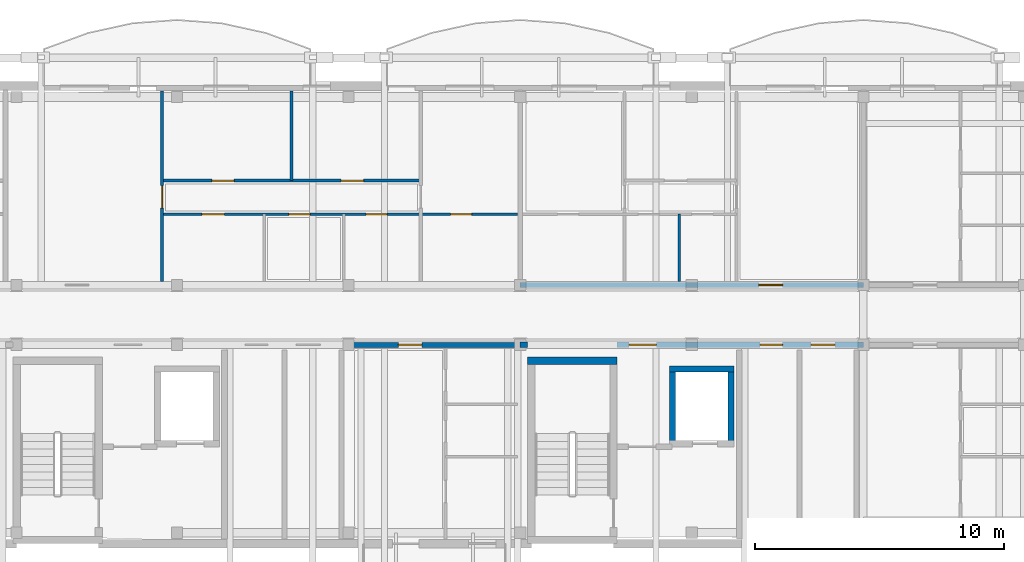
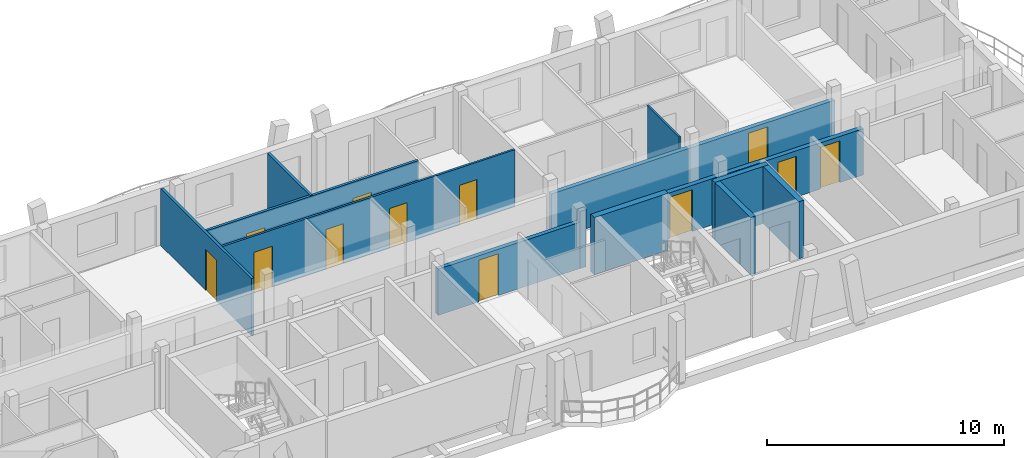
# One storey, part 35 of 52: 13 walls, 12 doors, 12 openings.
"""IFC4 building model written with IfcOpenShell, lengths in metres."""

from ifc_helpers import new_model, si_unit, direction, frame, frame_2d, origin, origin_with_axes, place, context, subcontext, project, spatial, rectangle, extrude, material, layer, layer_set, type_object, element, fill, save


model = new_model("IFC4")

# Units and contexts
model_context = context("Model", 3, precision=1e-05, world=origin(), true_north=direction((0.0, 1.0)))
body_context = subcontext(model_context, "Body", "Model", "MODEL_VIEW")
ifc_project = project(units=[si_unit("LENGTHUNIT", "METRE"), si_unit("AREAUNIT", "SQUARE_METRE"), si_unit("VOLUMEUNIT", "CUBIC_METRE"), si_unit("PLANEANGLEUNIT", "RADIAN"), si_unit("MASSUNIT", "GRAM", prefix="KILO")], contexts=[model_context])

# Site, building, storey
site_placement = place(None, origin())
site = spatial("IfcSite", under=ifc_project, at=site_placement, CompositionType="ELEMENT")
building_placement = place(site_placement, origin())
building = spatial("IfcBuilding", under=site, at=building_placement, Name="Zavelmont Quarter", CompositionType="ELEMENT")
storey_placement = place(building_placement, frame((0.0, 0.0, 14.39990234375)))
storey = spatial("IfcBuildingStorey", under=building, at=storey_placement, Name="L04", CompositionType="ELEMENT", Elevation=14.39990234375)

# Wall, opening, door
ifc_material_1 = material(Name="Calcium-silicate blockwork and acoustic plaster", Category="masonry")
ifc_layer_1 = layer(ifc_material_1, 0.199951171875)
ifc_layer_set_1 = layer_set([ifc_layer_1], Name="Calcium-silicate blockwork and acoustic plaster")
wall_type_1 = type_object("IfcWallType", Name="IW01", PredefinedType="PARTITIONING", material=ifc_layer_set_1)
wall_1_placement = place(storey_placement, frame((147.300048828125, 108.0, 0.0), z_axis=(0.0, 0.0, 1.0), x_axis=(1.0, 0.0, 0.0)))
wall_1 = element("IfcWall", 1, at=wall_1_placement, inside=storey, type_object=wall_type_1, Name="L04 Corridor compartment wall IW01", PredefinedType="PARTITIONING", context=body_context, shape_type="SweptSolid", body=[
    extrude(rectangle(XDim=13.800048828125, YDim=0.199951171875, at=frame_2d((6.89990234375, 0.0))), origin(), (0.0, 0.0, 1.0), 2.380126953125),
])
opening_1_placement = place(wall_1_placement, frame((9.60009765625, 0.0, 0.0)))
opening_1 = element("IfcOpeningElement", 2, at=opening_1_placement, cuts=wall_1, Name="Opening DR02", PredefinedType="OPENING", context=body_context, shape_type="SweptSolid", body=[
    extrude(rectangle(XDim=0.949951171875, YDim=2.14990234375, at=frame_2d((0.47509765625, 1.074951171875))), frame((0.0, 0.11181640625, 0.0), z_axis=(0.0, -1.0, 0.0), x_axis=(1.0, 0.0, 0.0)), (0.0, 0.0, 1.0), 0.223876953125),
])
ifc_material_2 = material(Name="Solid-core oak fire leaf in steel frame", Category="steel")
door_type_1 = type_object("IfcDoorType", Name="DR02", OperationType="NOTDEFINED", PredefinedType="DOOR", material=ifc_material_2)
door_1_placement = place(opening_1_placement, origin_with_axes())
door_1 = element("IfcDoor", 3, at=door_1_placement, inside=storey, type_object=door_type_1, Name="L04 door DR02", OperationType="SINGLE_SWING_LEFT", OverallHeight=2.14990234375, OverallWidth=0.949951171875, PredefinedType="DOOR", context=body_context, shape_type="SweptSolid", body=[
    extrude(rectangle(XDim=0.949951171875, YDim=2.14990234375, at=frame_2d((0.47509765625, 1.074951171875))), frame((0.0, 0.02490234375, 0.0), z_axis=(0.0, -1.0, 0.0), x_axis=(1.0, 0.0, 0.0)), (0.0, 0.0, 1.0), 0.050048828125),
])
fill(opening_1, door_1)

wall_2_placement = place(storey_placement, frame((140.39990234375, 105.60009765625, 0.0), z_axis=(0.0, 0.0, 1.0), x_axis=(1.0, 0.0, 0.0)))
wall_2 = element("IfcWall", 4, at=wall_2_placement, inside=storey, type_object=wall_type_1, Name="L04 Corridor compartment wall IW01", PredefinedType="PARTITIONING", context=body_context, shape_type="SweptSolid", body=[
    extrude(rectangle(XDim=6.900146484375, YDim=0.199951171875, at=frame_2d((3.4501953125, 0.0))), origin(), (0.0, 0.0, 1.0), 2.380126953125),
])
opening_2_placement = place(wall_2_placement, frame((2.0, 0.0, 0.0)))
opening_2 = element("IfcOpeningElement", 5, at=opening_2_placement, cuts=wall_2, Name="Opening DR02", PredefinedType="OPENING", context=body_context, shape_type="SweptSolid", body=[
    extrude(rectangle(XDim=0.949951171875, YDim=2.14990234375, at=frame_2d((0.47509765625, 1.074951171875))), frame((0.0, 0.11181640625, 0.0), z_axis=(0.0, -1.0, 0.0), x_axis=(1.0, 0.0, 0.0)), (0.0, 0.0, 1.0), 0.223876953125),
])
door_2_placement = place(opening_2_placement, frame((0.949951171875, 0.0, 0.0), z_axis=(0.0, 0.0, 1.0), x_axis=(-1.0, 0.0, 0.0)))
door_2 = element("IfcDoor", 6, at=door_2_placement, inside=storey, type_object=door_type_1, Name="L04 door DR02", OperationType="SINGLE_SWING_LEFT", OverallHeight=2.14990234375, OverallWidth=0.949951171875, PredefinedType="DOOR", context=body_context, shape_type="SweptSolid", body=[
    extrude(rectangle(XDim=0.949951171875, YDim=2.14990234375, at=frame_2d((0.47509765625, 1.074951171875))), frame((0.0, 0.02490234375, 0.0), z_axis=(0.0, -1.0, 0.0), x_axis=(1.0, 0.0, 0.0)), (0.0, 0.0, 1.0), 0.050048828125),
])
fill(opening_2, door_2)

# Wall
ifc_material_3 = material(Name="Reinforced masonry fire compartment wall", Category="masonry")
ifc_layer_2 = layer(ifc_material_3, 0.22509765625)
ifc_layer_set_2 = layer_set([ifc_layer_2], Name="Reinforced masonry fire compartment wall")
wall_type_2 = type_object("IfcWallType", Name="IW02", PredefinedType="PARTITIONING", material=ifc_layer_set_2)
wall_3_placement = place(storey_placement, frame((147.300048828125, 105.60009765625, 0.0), z_axis=(0.0, 0.0, 1.0), x_axis=(1.0, 0.0, 0.0)))
element("IfcWall", 7, at=wall_3_placement, inside=storey, type_object=wall_type_2, Name="L04 Core corridor wall IW02", PredefinedType="PARTITIONING", context=body_context, shape_type="SweptSolid", body=[
    extrude(rectangle(XDim=0.300048828125, YDim=0.22509765625, at=frame_2d((0.14990234375, 0.0))), origin(), (0.0, 0.0, 1.0), 2.940185546875),
])

# Wall, openings, doors
wall_4_placement = place(storey_placement, frame((151.199951171875, 105.60009765625, 0.0), z_axis=(0.0, 0.0, 1.0), x_axis=(1.0, 0.0, 0.0)))
wall_4 = element("IfcWall", 8, at=wall_4_placement, inside=storey, type_object=wall_type_2, Name="L04 Core corridor fire wall IW02", PredefinedType="PARTITIONING", context=body_context, shape_type="SweptSolid", body=[
    extrude(rectangle(XDim=9.900146484375, YDim=0.22509765625, at=frame_2d((4.9501953125, 0.0))), origin(), (0.0, 0.0, 1.0), 2.380126953125),
])
opening_3_placement = place(wall_4_placement, frame((0.47509765625, 0.0, 0.0)))
opening_3 = element("IfcOpeningElement", 9, at=opening_3_placement, cuts=wall_4, Name="Opening DR10", PredefinedType="OPENING", context=body_context, shape_type="SweptSolid", body=[
    extrude(rectangle(XDim=1.10009765625, YDim=2.14990234375, at=frame_2d((0.550048828125, 1.074951171875))), frame((0.0, 0.12451171875, 0.0), z_axis=(0.0, -1.0, 0.0), x_axis=(1.0, 0.0, 0.0)), (0.0, 0.0, 1.0), 0.2490234375),
])
opening_4_placement = place(wall_4_placement, frame((5.75, 0.0, 0.0)))
opening_4 = element("IfcOpeningElement", 10, at=opening_4_placement, cuts=wall_4, Name="Opening DR11", PredefinedType="OPENING", context=body_context, shape_type="SweptSolid", body=[
    extrude(rectangle(XDim=0.89990234375, YDim=2.10009765625, at=frame_2d((0.449951171875, 1.050048828125))), frame((0.0, 0.12451171875, 0.0), z_axis=(0.0, -1.0, 0.0), x_axis=(1.0, 0.0, 0.0)), (0.0, 0.0, 1.0), 0.2490234375),
])
opening_5_placement = place(wall_4_placement, frame((7.800048828125, 0.0, 0.0)))
opening_5 = element("IfcOpeningElement", 11, at=opening_5_placement, cuts=wall_4, Name="Opening DR02", PredefinedType="OPENING", context=body_context, shape_type="SweptSolid", body=[
    extrude(rectangle(XDim=0.949951171875, YDim=2.14990234375, at=frame_2d((0.47509765625, 1.074951171875))), frame((0.0, 0.12451171875, 0.0), z_axis=(0.0, -1.0, 0.0), x_axis=(1.0, 0.0, 0.0)), (0.0, 0.0, 1.0), 0.2490234375),
])
door_3_placement = place(opening_5_placement, origin_with_axes())
door_3 = element("IfcDoor", 12, at=door_3_placement, inside=storey, type_object=door_type_1, Name="Auxiliary store corridor door", OperationType="SINGLE_SWING_RIGHT", OverallHeight=2.14990234375, OverallWidth=0.949951171875, PredefinedType="DOOR", context=body_context, shape_type="SweptSolid", body=[
    extrude(rectangle(XDim=0.949951171875, YDim=2.14990234375, at=frame_2d((0.47509765625, 1.074951171875))), frame((0.0, 0.02490234375, 0.0), z_axis=(0.0, -1.0, 0.0), x_axis=(1.0, 0.0, 0.0)), (0.0, 0.0, 1.0), 0.050048828125),
])
fill(opening_5, door_3)
ifc_material_4 = material(Name="Painted steel lobby fire door", Category="steel")
door_type_2 = type_object("IfcDoorType", Name="DR10", OperationType="NOTDEFINED", PredefinedType="DOOR", material=ifc_material_4)
door_4_placement = place(opening_3_placement, frame((1.10009765625, 0.0, 0.0), z_axis=(0.0, 0.0, 1.0), x_axis=(-1.0, 0.0, 0.0)))
door_4 = element("IfcDoor", 13, at=door_4_placement, inside=storey, type_object=door_type_2, Name="Core vestibule fire door", OperationType="SINGLE_SWING_RIGHT", OverallHeight=2.14990234375, OverallWidth=1.10009765625, PredefinedType="DOOR", context=body_context, shape_type="SweptSolid", body=[
    extrude(rectangle(XDim=1.10009765625, YDim=2.14990234375, at=frame_2d((0.550048828125, 1.074951171875))), frame((0.0, 0.02490234375, 0.0), z_axis=(0.0, -1.0, 0.0), x_axis=(1.0, 0.0, 0.0)), (0.0, 0.0, 1.0), 0.050048828125),
])
fill(opening_3, door_4)
ifc_material_5 = material(Name="Painted steel service-riser fire door", Category="steel")
door_type_3 = type_object("IfcDoorType", Name="DR11", OperationType="NOTDEFINED", PredefinedType="DOOR", material=ifc_material_5)
door_5_placement = place(opening_4_placement, origin_with_axes())
door_5 = element("IfcDoor", 14, at=door_5_placement, inside=storey, type_object=door_type_3, Name="Service riser fire door", OperationType="SINGLE_SWING_LEFT", OverallHeight=2.10009765625, OverallWidth=0.89990234375, PredefinedType="DOOR", context=body_context, shape_type="SweptSolid", body=[
    extrude(rectangle(XDim=0.89990234375, YDim=2.10009765625, at=frame_2d((0.449951171875, 1.050048828125))), frame((0.0, 0.02490234375, 0.0), z_axis=(0.0, -1.0, 0.0), x_axis=(1.0, 0.0, 0.0)), (0.0, 0.0, 1.0), 0.050048828125),
])
fill(opening_4, door_5)

# Wall, opening, door
ifc_material_6 = material(Name="Double gypsum board on acoustic steel stud", Category="steel")
ifc_layer_3 = layer(ifc_material_6, 0.125)
ifc_layer_set_3 = layer_set([ifc_layer_3], Name="Double gypsum board on acoustic steel stud")
wall_type_3 = type_object("IfcWallType", Name="IW03", PredefinedType="PARTITIONING", material=ifc_layer_set_3)
wall_5_placement = place(storey_placement, frame((132.89990234375, 108.14990234375, 0.0), z_axis=(0.0, 0.0, 1.0), x_axis=(0.0, 1.0, 0.0)))
wall_5 = element("IfcWall", 15, at=wall_5_placement, inside=storey, type_object=wall_type_3, Name="L04 Partition IW03", PredefinedType="PARTITIONING", context=body_context, shape_type="SweptSolid", body=[
    extrude(rectangle(XDim=7.650146484375, YDim=0.125, at=frame_2d((3.8251953125, 0.0))), origin(), (0.0, 0.0, 1.0), 2.940185546875),
])
opening_6_placement = place(wall_5_placement, frame((2.949951171875, 0.0, 0.0)))
opening_6 = element("IfcOpeningElement", 16, at=opening_6_placement, cuts=wall_5, Name="Opening DR05", PredefinedType="OPENING", context=body_context, shape_type="SweptSolid", body=[
    extrude(rectangle(XDim=0.89990234375, YDim=2.10009765625, at=frame_2d((0.449951171875, 1.050048828125))), frame((0.0, 0.074462890625, 0.0), z_axis=(0.0, -1.0, 0.0), x_axis=(1.0, 0.0, 0.0)), (0.0, 0.0, 1.0), 0.14892578125),
])
ifc_material_7 = material(Name="Engineered oak flush interior door")
door_type_4 = type_object("IfcDoorType", Name="DR05", OperationType="NOTDEFINED", PredefinedType="DOOR", material=ifc_material_7)
door_6_placement = place(opening_6_placement, frame((0.89990234375, 0.0, 0.0), z_axis=(0.0, 0.0, 1.0), x_axis=(-1.0, 0.0, 0.0)))
door_6 = element("IfcDoor", 17, at=door_6_placement, inside=storey, type_object=door_type_4, Name="L04 door DR05", OperationType="SINGLE_SWING_LEFT", OverallHeight=2.10009765625, OverallWidth=0.89990234375, PredefinedType="DOOR", context=body_context, shape_type="SweptSolid", body=[
    extrude(rectangle(XDim=0.89990234375, YDim=2.10009765625, at=frame_2d((0.449951171875, 1.050048828125))), frame((0.0, 0.02490234375, 0.0), z_axis=(0.0, -1.0, 0.0), x_axis=(1.0, 0.0, 0.0)), (0.0, 0.0, 1.0), 0.050048828125),
])
fill(opening_6, door_6)

# Wall
wall_6_placement = place(storey_placement, frame((138.10009765625, 112.199951171875, 0.0), z_axis=(0.0, 0.0, 1.0), x_axis=(0.0, 1.0, 0.0)))
element("IfcWall", 18, at=wall_6_placement, inside=storey, type_object=wall_type_3, Name="L04 Partition IW03", PredefinedType="PARTITIONING", context=body_context, shape_type="SweptSolid", body=[
    extrude(rectangle(XDim=3.60009765625, YDim=0.125, at=frame_2d((1.800048828125, 0.0))), origin(), (0.0, 0.0, 1.0), 2.940185546875),
])

# Wall, openings, doors
wall_7_placement = place(storey_placement, frame((132.89990234375, 112.199951171875, 0.0), z_axis=(0.0, 0.0, 1.0), x_axis=(1.0, 0.0, 0.0)))
wall_7 = element("IfcWall", 19, at=wall_7_placement, inside=storey, type_object=wall_type_3, Name="L04 Partition IW03", PredefinedType="PARTITIONING", context=body_context, shape_type="SweptSolid", body=[
    extrude(rectangle(XDim=10.400146484375, YDim=0.125, at=frame_2d((5.2001953125, 0.0))), origin(), (0.0, 0.0, 1.0), 2.940185546875),
])
opening_7_placement = place(wall_7_placement, frame((2.0, 0.0, 0.0)))
opening_7 = element("IfcOpeningElement", 20, at=opening_7_placement, cuts=wall_7, Name="Opening DR05", PredefinedType="OPENING", context=body_context, shape_type="SweptSolid", body=[
    extrude(rectangle(XDim=0.89990234375, YDim=2.10009765625, at=frame_2d((0.449951171875, 1.050048828125))), frame((0.0, 0.074462890625, 0.0), z_axis=(0.0, -1.0, 0.0), x_axis=(1.0, 0.0, 0.0)), (0.0, 0.0, 1.0), 0.14892578125),
])
opening_8_placement = place(wall_7_placement, frame((7.199951171875, 0.0, 0.0)))
opening_8 = element("IfcOpeningElement", 21, at=opening_8_placement, cuts=wall_7, Name="Opening DR05", PredefinedType="OPENING", context=body_context, shape_type="SweptSolid", body=[
    extrude(rectangle(XDim=0.89990234375, YDim=2.10009765625, at=frame_2d((0.449951171875, 1.050048828125))), frame((0.0, 0.074462890625, 0.0), z_axis=(0.0, -1.0, 0.0), x_axis=(1.0, 0.0, 0.0)), (0.0, 0.0, 1.0), 0.14892578125),
])
door_7_placement = place(opening_7_placement, frame((0.89990234375, 0.0, 0.0), z_axis=(0.0, 0.0, 1.0), x_axis=(-1.0, 0.0, 0.0)))
door_7 = element("IfcDoor", 22, at=door_7_placement, inside=storey, type_object=door_type_4, Name="L04 door DR05", OperationType="SINGLE_SWING_LEFT", OverallHeight=2.10009765625, OverallWidth=0.89990234375, PredefinedType="DOOR", context=body_context, shape_type="SweptSolid", body=[
    extrude(rectangle(XDim=0.89990234375, YDim=2.10009765625, at=frame_2d((0.449951171875, 1.050048828125))), frame((0.0, 0.02490234375, 0.0), z_axis=(0.0, -1.0, 0.0), x_axis=(1.0, 0.0, 0.0)), (0.0, 0.0, 1.0), 0.050048828125),
])
fill(opening_7, door_7)
door_8_placement = place(opening_8_placement, origin_with_axes())
door_8 = element("IfcDoor", 23, at=door_8_placement, inside=storey, type_object=door_type_4, Name="L04 door DR05", OperationType="SINGLE_SWING_RIGHT", OverallHeight=2.10009765625, OverallWidth=0.89990234375, PredefinedType="DOOR", context=body_context, shape_type="SweptSolid", body=[
    extrude(rectangle(XDim=0.89990234375, YDim=2.10009765625, at=frame_2d((0.449951171875, 1.050048828125))), frame((0.0, 0.02490234375, 0.0), z_axis=(0.0, -1.0, 0.0), x_axis=(1.0, 0.0, 0.0)), (0.0, 0.0, 1.0), 0.050048828125),
])
fill(opening_8, door_8)

ifc_material_8 = material(Name="Moisture-resistant gypsum board on steel stud", Category="steel")
ifc_layer_4 = layer(ifc_material_8, 0.10009765625)
ifc_layer_set_4 = layer_set([ifc_layer_4], Name="Moisture-resistant gypsum board on steel stud")
wall_type_4 = type_object("IfcWallType", Name="IW04", PredefinedType="PARTITIONING", material=ifc_layer_set_4)
wall_8_placement = place(storey_placement, frame((132.89990234375, 110.85009765625, 0.0), z_axis=(0.0, 0.0, 1.0), x_axis=(1.0, 0.0, 0.0)))
wall_8 = element("IfcWall", 24, at=wall_8_placement, inside=storey, type_object=wall_type_4, Name="L04 Partition IW04", PredefinedType="PARTITIONING", context=body_context, shape_type="SweptSolid", body=[
    extrude(rectangle(XDim=14.300048828125, YDim=0.10009765625, at=frame_2d((7.14990234375, 0.0))), origin(), (0.0, 0.0, 1.0), 2.940185546875),
])
opening_9_placement = place(wall_8_placement, frame((1.60009765625, 0.0, 0.0)))
opening_9 = element("IfcOpeningElement", 25, at=opening_9_placement, cuts=wall_8, Name="Opening DR05", PredefinedType="OPENING", context=body_context, shape_type="SweptSolid", body=[
    extrude(rectangle(XDim=0.89990234375, YDim=2.10009765625, at=frame_2d((0.449951171875, 1.050048828125))), frame((0.0, 0.06201171875, 0.0), z_axis=(0.0, -1.0, 0.0), x_axis=(1.0, 0.0, 0.0)), (0.0, 0.0, 1.0), 0.1240234375),
])
opening_10_placement = place(wall_8_placement, frame((5.10009765625, 0.0, 0.0)))
opening_10 = element("IfcOpeningElement", 26, at=opening_10_placement, cuts=wall_8, Name="Opening DR06", PredefinedType="OPENING", context=body_context, shape_type="SweptSolid", body=[
    extrude(rectangle(XDim=0.85009765625, YDim=2.050048828125, at=frame_2d((0.425048828125, 1.02490234375))), frame((0.0, 0.06201171875, 0.0), z_axis=(0.0, -1.0, 0.0), x_axis=(1.0, 0.0, 0.0)), (0.0, 0.0, 1.0), 0.1240234375),
])
opening_11_placement = place(wall_8_placement, frame((8.199951171875, 0.0, 0.0)))
opening_11 = element("IfcOpeningElement", 27, at=opening_11_placement, cuts=wall_8, Name="Opening DR06", PredefinedType="OPENING", context=body_context, shape_type="SweptSolid", body=[
    extrude(rectangle(XDim=0.85009765625, YDim=2.050048828125, at=frame_2d((0.425048828125, 1.02490234375))), frame((0.0, 0.06201171875, 0.0), z_axis=(0.0, -1.0, 0.0), x_axis=(1.0, 0.0, 0.0)), (0.0, 0.0, 1.0), 0.1240234375),
])
opening_12_placement = place(wall_8_placement, frame((11.60009765625, 0.0, 0.0)))
opening_12 = element("IfcOpeningElement", 28, at=opening_12_placement, cuts=wall_8, Name="Opening DR06", PredefinedType="OPENING", context=body_context, shape_type="SweptSolid", body=[
    extrude(rectangle(XDim=0.85009765625, YDim=2.050048828125, at=frame_2d((0.425048828125, 1.02490234375))), frame((0.0, 0.06201171875, 0.0), z_axis=(0.0, -1.0, 0.0), x_axis=(1.0, 0.0, 0.0)), (0.0, 0.0, 1.0), 0.1240234375),
])
door_9_placement = place(opening_9_placement, frame((0.89990234375, 0.0, 0.0), z_axis=(0.0, 0.0, 1.0), x_axis=(-1.0, 0.0, 0.0)))
door_9 = element("IfcDoor", 29, at=door_9_placement, inside=storey, type_object=door_type_4, Name="L04 door DR05", OperationType="SINGLE_SWING_LEFT", OverallHeight=2.10009765625, OverallWidth=0.89990234375, PredefinedType="DOOR", context=body_context, shape_type="SweptSolid", body=[
    extrude(rectangle(XDim=0.89990234375, YDim=2.10009765625, at=frame_2d((0.449951171875, 1.050048828125))), frame((0.0, 0.02490234375, 0.0), z_axis=(0.0, -1.0, 0.0), x_axis=(1.0, 0.0, 0.0)), (0.0, 0.0, 1.0), 0.050048828125),
])
fill(opening_9, door_9)
ifc_material_9 = material(Name="Moisture-resistant painted wet-room door")
door_type_5 = type_object("IfcDoorType", Name="DR06", OperationType="NOTDEFINED", PredefinedType="DOOR", material=ifc_material_9)
door_10_placement = place(opening_10_placement, origin_with_axes())
door_10 = element("IfcDoor", 30, at=door_10_placement, inside=storey, type_object=door_type_5, Name="L04 door DR06", OperationType="SINGLE_SWING_RIGHT", OverallHeight=2.050048828125, OverallWidth=0.85009765625, PredefinedType="DOOR", context=body_context, shape_type="SweptSolid", body=[
    extrude(rectangle(XDim=0.85009765625, YDim=2.050048828125, at=frame_2d((0.425048828125, 1.02490234375))), frame((0.0, 0.02490234375, 0.0), z_axis=(0.0, -1.0, 0.0), x_axis=(1.0, 0.0, 0.0)), (0.0, 0.0, 1.0), 0.050048828125),
])
fill(opening_10, door_10)
door_11_placement = place(opening_11_placement, frame((0.85009765625, 0.0, 0.0), z_axis=(0.0, 0.0, 1.0), x_axis=(-1.0, 0.0, 0.0)))
door_11 = element("IfcDoor", 31, at=door_11_placement, inside=storey, type_object=door_type_5, Name="L04 door DR06", OperationType="SINGLE_SWING_LEFT", OverallHeight=2.050048828125, OverallWidth=0.85009765625, PredefinedType="DOOR", context=body_context, shape_type="SweptSolid", body=[
    extrude(rectangle(XDim=0.85009765625, YDim=2.050048828125, at=frame_2d((0.425048828125, 1.02490234375))), frame((0.0, 0.02490234375, 0.0), z_axis=(0.0, -1.0, 0.0), x_axis=(1.0, 0.0, 0.0)), (0.0, 0.0, 1.0), 0.050048828125),
])
fill(opening_11, door_11)
door_12_placement = place(opening_12_placement, origin_with_axes())
door_12 = element("IfcDoor", 32, at=door_12_placement, inside=storey, type_object=door_type_5, Name="L04 door DR06", OperationType="SINGLE_SWING_RIGHT", OverallHeight=2.050048828125, OverallWidth=0.85009765625, PredefinedType="DOOR", context=body_context, shape_type="SweptSolid", body=[
    extrude(rectangle(XDim=0.85009765625, YDim=2.050048828125, at=frame_2d((0.425048828125, 1.02490234375))), frame((0.0, 0.02490234375, 0.0), z_axis=(0.0, -1.0, 0.0), x_axis=(1.0, 0.0, 0.0)), (0.0, 0.0, 1.0), 0.050048828125),
])
fill(opening_12, door_12)

# Walls
wall_9_placement = place(storey_placement, frame((153.699951171875, 108.14990234375, 0.0), z_axis=(0.0, 0.0, 1.0), x_axis=(0.0, 1.0, 0.0)))
element("IfcWall", 33, at=wall_9_placement, inside=storey, type_object=wall_type_4, Name="L04 Partition IW04", PredefinedType="PARTITIONING", context=body_context, shape_type="SweptSolid", body=[
    extrude(rectangle(XDim=2.7001953125, YDim=0.10009765625, at=frame_2d((1.35009765625, 0.0))), origin(), (0.0, 0.0, 1.0), 2.940185546875),
])
ifc_material_10 = material(Name="Concrete C40/50", Category="concrete")
ifc_layer_5 = layer(ifc_material_10, 0.300048828125)
ifc_layer_set_5 = layer_set([ifc_layer_5], Name="Concrete C40/50")
wall_type_5 = type_object("IfcWallType", Name="SW01", PredefinedType="SHEAR", material=ifc_layer_set_5)
wall_10_placement = place(storey_placement, frame((147.60009765625, 104.949951171875, 0.0), z_axis=(0.0, 0.0, 1.0), x_axis=(1.0, 0.0, 0.0)))
element("IfcWall", 34, at=wall_10_placement, inside=storey, type_object=wall_type_5, Name="L04 ST06 corridor shear wall SW01", PredefinedType="SHEAR", context=body_context, shape_type="SweptSolid", body=[
    extrude(rectangle(XDim=3.599853515625, YDim=0.300048828125, at=frame_2d((1.7998046875, 0.0))), origin(), (0.0, 0.0, 1.0), 2.940185546875),
])
ifc_layer_6 = layer(ifc_material_10, 0.25)
ifc_layer_set_6 = layer_set([ifc_layer_6], Name="Concrete C40/50")
wall_type_6 = type_object("IfcWallType", Name="SW02", PredefinedType="SHEAR", material=ifc_layer_set_6)
wall_11_placement = place(storey_placement, frame((153.300048828125, 104.625, 0.0), z_axis=(0.0, 0.0, 1.0), x_axis=(1.0, 0.0, 0.0)))
element("IfcWall", 35, at=wall_11_placement, inside=storey, type_object=wall_type_6, Name="L04 Lift LF06 back shaft wall SW02", PredefinedType="SHEAR", context=body_context, shape_type="SweptSolid", body=[
    extrude(rectangle(XDim=2.599853515625, YDim=0.25, at=frame_2d((1.2998046875, 0.0))), origin(), (0.0, 0.0, 1.0), 2.940185546875),
])
for number, where, z_axis, x_axis, name in (
    (36, (153.425048828125, 101.5, 0.0), (0.0, 0.0, 1.0), (0.0, 1.0, 0.0), "L04 Lift LF06 west shaft wall SW02"),
    (37, (155.77490234375, 101.5, 0.0), (0.0, 0.0, 1.0), (0.0, 1.0, 0.0), "L04 Lift LF06 east shaft wall SW02"),
):
    element("IfcWall", number, at=place(storey_placement, frame(where, z_axis=z_axis, x_axis=x_axis)), inside=storey, type_object=wall_type_6, Name=name, PredefinedType="SHEAR", context=body_context, shape_type="SweptSolid", body=[
        extrude(rectangle(XDim=3.25, YDim=0.25, at=frame_2d((1.625, 0.0))), origin(), (0.0, 0.0, 1.0), 2.940185546875),
    ])

save(model, "model.ifc")
